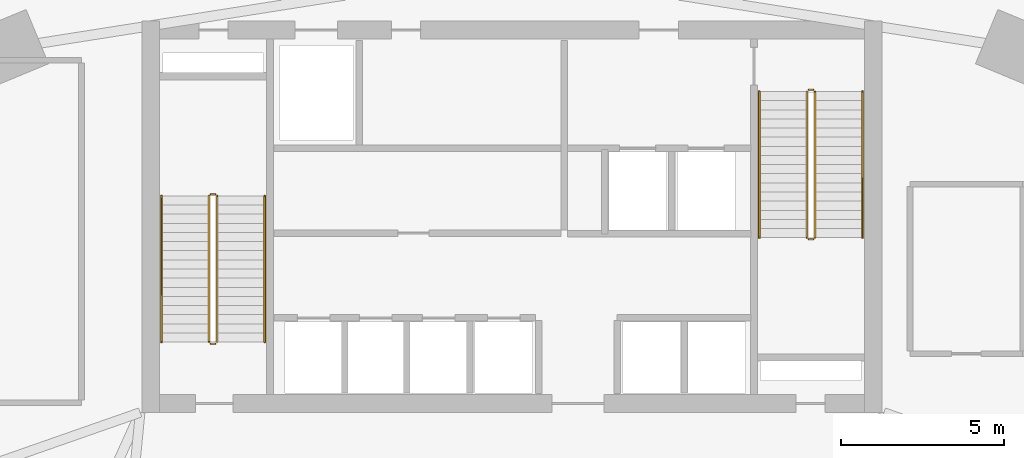
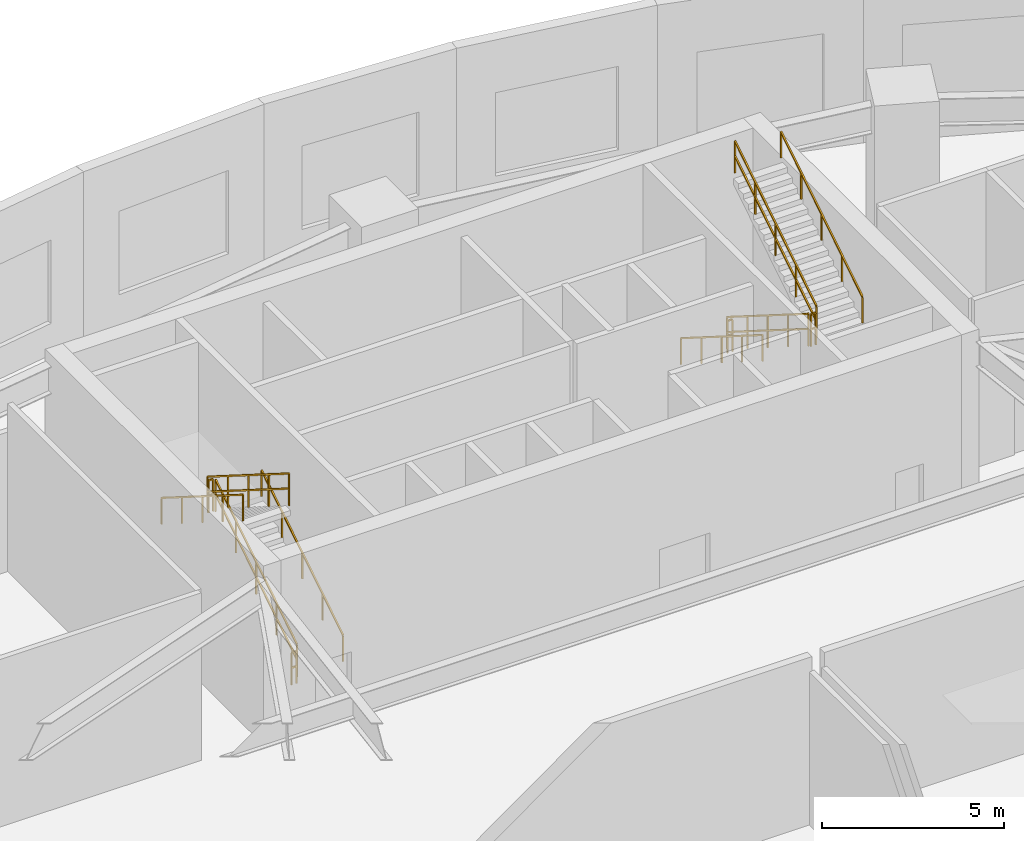
# One storey, part 9 of 10: 12 railings.
"""IFC4 building model written with IfcOpenShell, lengths in metres."""

import ifcopenshell
import ifcopenshell.guid

model = None  # the IFC model being written
_history = None  # IfcOwnerHistory: only IFC2X3 demands one
_inside = {}  # id of a spatial element -> (the spatial element, [elements in it])
_under = {}  # id of a project, library or spatial element -> (it, [spatial elements below it])
_declared = {}  # id of a project -> (the project, [libraries it declares])
_typed = {}  # id of a type object -> (the type object, [elements of that type])
_made_of = {}  # id of a material, layer set ... -> (it, [elements and type objects made of it])


def new_model(schema):
    """Start an empty IFC model of exactly this schema.

    Asked for "IFC4X3", IfcOpenShell would pick the latest addendum, in which some entities
    have other attributes; the version numbers below select the first issue.
    IFC2X3 requires an IfcOwnerHistory on every rooted entity: one is made here for all.
    """
    global model, _history
    if schema == "IFC4X3":
        model = ifcopenshell.file(schema_version=(4, 3, 0, 0))
    else:
        model = ifcopenshell.file(schema=schema)
    _inside.clear()
    _under.clear()
    _declared.clear()
    _typed.clear()
    _made_of.clear()
    _history = None
    if model.schema == "IFC2X3":
        org = make("IfcOrganization", Name="unknown")
        user = make(
            "IfcPersonAndOrganization",
            ThePerson=make("IfcPerson", FamilyName="unknown"),
            TheOrganization=org,
        )
        app = make(
            "IfcApplication",
            ApplicationDeveloper=org,
            Version="unknown",
            ApplicationFullName="unknown",
            ApplicationIdentifier="unknown",
        )
        _history = make(
            "IfcOwnerHistory",
            OwningUser=user,
            OwningApplication=app,
            ChangeAction="ADDED",
            CreationDate=0,
        )
    return model


def make(cls, **values):
    """One entity of the class cls with the attributes given. An attribute that is None is left unset."""
    return model.create_entity(
        cls, **{name: value for name, value in values.items() if value is not None}
    )


def rooted(cls, **values):
    """An entity with a GlobalId (a new one), such as an element, a storey or a relation."""
    return make(cls, GlobalId=ifcopenshell.guid.new(), OwnerHistory=_history, **values)


def si_unit(unit_type, name, prefix=None):
    """IfcSIUnit, for example si_unit("LENGTHUNIT", "METRE", prefix="MILLI")."""
    return make("IfcSIUnit", UnitType=unit_type, Prefix=prefix, Name=name)


def assignment(units):
    """IfcUnitAssignment: the units of a project."""
    return None if units is None else make("IfcUnitAssignment", Units=units)


def point(xyz):
    """IfcCartesianPoint."""
    return None if xyz is None else make("IfcCartesianPoint", Coordinates=xyz)


def direction(xyz):
    """IfcDirection."""
    return None if xyz is None else make("IfcDirection", DirectionRatios=xyz)


def frame(location, z_axis=None, x_axis=None):
    """IfcAxis2Placement3D, a coordinate frame: its origin and axes. An axis left out is left unset."""
    return make(
        "IfcAxis2Placement3D",
        Location=point(location),
        Axis=direction(z_axis),
        RefDirection=direction(x_axis),
    )


def frame_2d(location, x_axis=None):
    """IfcAxis2Placement2D, a coordinate frame in the plane: its origin and x axis."""
    return make(
        "IfcAxis2Placement2D", Location=point(location), RefDirection=direction(x_axis)
    )


def origin():
    """The frame at (0, 0, 0) with its axes left unset."""
    return frame((0.0, 0.0, 0.0))


def origin_2d():
    """The frame at (0, 0) in the plane with its x axis left unset."""
    return frame_2d((0.0, 0.0))


def place(relative_to, where):
    """IfcLocalPlacement: puts the frame where relative to a parent placement (None: the world)."""
    return make(
        "IfcLocalPlacement", PlacementRelTo=relative_to, RelativePlacement=where
    )


def context(
    kind, dimensions, precision=None, world=None, true_north=None, identifier=None
):
    """IfcGeometricRepresentationContext, for example the 3D "Model" context."""
    return make(
        "IfcGeometricRepresentationContext",
        ContextIdentifier=identifier,
        ContextType=kind,
        CoordinateSpaceDimension=dimensions,
        Precision=precision,
        WorldCoordinateSystem=world,
        TrueNorth=true_north,
    )


def subcontext(parent, identifier, kind, view, scale=None):
    """IfcGeometricRepresentationSubContext, for example "Body" below "Model"."""
    return make(
        "IfcGeometricRepresentationSubContext",
        ContextIdentifier=identifier,
        ContextType=kind,
        ParentContext=parent,
        TargetScale=scale,
        TargetView=view,
    )


def project(units=None, contexts=None):
    """IfcProject with its units and contexts."""
    return rooted(
        "IfcProject",
        Name="project",
        RepresentationContexts=contexts,
        UnitsInContext=assignment(units),
    )


def spatial(cls, under=None, at=None, **own):
    """A site, building, storey or space (cls), placed at a placement, below another one or the project."""
    s = rooted(cls, ObjectPlacement=at, **own)
    if under is not None:
        _under.setdefault(under.id(), (under, []))[1].append(s)
    return s


def profile(cls, at=None, kind="AREA", **sizes):
    """A parametric profile (cls). Its sizes go by their IFC names, for example OverallWidth=200.0."""
    return make(cls, ProfileType=kind, Position=at, **sizes)


def rectangle(**sizes):
    """IfcRectangleProfileDef."""
    return profile("IfcRectangleProfileDef", **sizes)


def extrude(swept, where, along, depth):
    """IfcExtrudedAreaSolid: the profile swept, set in the frame where, extruded along a direction by depth."""
    return make(
        "IfcExtrudedAreaSolid",
        SweptArea=swept,
        Position=where,
        ExtrudedDirection=direction(along),
        Depth=depth,
    )


def shape(context_of_items, identifier, shape_type, items):
    """IfcShapeRepresentation: the items that make up one representation, for example the "Body"."""
    return make(
        "IfcShapeRepresentation",
        ContextOfItems=context_of_items,
        RepresentationIdentifier=identifier,
        RepresentationType=shape_type,
        Items=items,
    )


def material(Name=None, Category=None):
    """IfcMaterial."""
    return make("IfcMaterial", Name=Name, Category=Category)


def made_of(thing, what):
    """Note that an element or type object is made of a material, layer set ...; save() writes the relation."""
    if what is not None:
        _made_of.setdefault(what.id(), (what, []))[1].append(thing)
    return thing


def type_object(cls, material=None, **own):
    """A type object (cls), such as IfcWallType, which elements share."""
    return made_of(rooted(cls, **own), material)


def element(
    cls,
    number,
    at=None,
    inside=None,
    cuts=None,
    type_object=None,
    material=None,
    context=None,
    identifier="Body",
    shape_type=None,
    held_by="IfcProductDefinitionShape",
    body=None,
    shapes=None,
    **own,
):
    """One element of the class cls, such as IfcWall. Its Tag is "e" and its number.

    at: its placement. inside: the storey or other place that contains it. cuts: it is an
    opening in that element (IfcRelVoidsElement). A single representation is given by context,
    identifier, shape_type and body (its items); several are given by shapes. held_by: the class
    of the entity that holds the representations. save() writes the other relations.
    """
    e = rooted(cls, Tag="e%d" % number, ObjectPlacement=at, **own)
    if body is not None:
        shapes = [shape(context, identifier, shape_type, body)]
    if shapes is not None:
        e.Representation = make(held_by, Representations=shapes)
    if inside is not None:
        _inside.setdefault(inside.id(), (inside, []))[1].append(e)
    if cuts is not None:
        rooted(
            "IfcRelVoidsElement", RelatingBuildingElement=cuts, RelatedOpeningElement=e
        )
    if type_object is not None:
        _typed.setdefault(type_object.id(), (type_object, []))[1].append(e)
    return made_of(e, material)


def aggregate(whole, parts):
    """IfcRelAggregates: a whole, such as a stair, and the parts it consists of."""
    return rooted("IfcRelAggregates", RelatingObject=whole, RelatedObjects=parts)


def save(model, path):
    """Write the relations noted so far, then the file.

    IfcRelAggregates (storeys below a building ...), IfcRelContainedInSpatialStructure (elements
    in a storey), IfcRelDefinesByType, IfcRelAssociatesMaterial and IfcRelDeclares: one each for
    every whole, place, type object, material and project.
    """
    for whole, parts in _under.values():
        aggregate(whole, parts)
    for where, things in _inside.values():
        rooted(
            "IfcRelContainedInSpatialStructure",
            RelatedElements=things,
            RelatingStructure=where,
        )
    for kind, things in _typed.values():
        rooted("IfcRelDefinesByType", RelatedObjects=things, RelatingType=kind)
    for what, things in _made_of.values():
        rooted("IfcRelAssociatesMaterial", RelatedObjects=things, RelatingMaterial=what)
    for by, libraries in _declared.values():
        rooted("IfcRelDeclares", RelatingContext=by, RelatedDefinitions=libraries)
    model.write(path)


model = new_model("IFC4")

# Units and contexts
model_context = context("Model", 3, precision=1e-05, world=origin(), true_north=direction((0.0, 1.0)))
body_context = subcontext(model_context, "Body", "Model", "MODEL_VIEW")
ifc_project = project(units=[si_unit("LENGTHUNIT", "METRE"), si_unit("AREAUNIT", "SQUARE_METRE"), si_unit("VOLUMEUNIT", "CUBIC_METRE"), si_unit("PLANEANGLEUNIT", "RADIAN"), si_unit("MASSUNIT", "GRAM", prefix="KILO")], contexts=[model_context])

# Site, building, storey
site_placement = place(None, origin())
site = spatial("IfcSite", under=ifc_project, at=site_placement, CompositionType="ELEMENT")
building_placement = place(site_placement, origin())
building = spatial("IfcBuilding", under=site, at=building_placement, Name="Breltana Convention Tower", CompositionType="ELEMENT")
storey_placement = place(building_placement, frame((0.0, 0.0, 18.0)))
storey = spatial("IfcBuildingStorey", under=building, at=storey_placement, Name="L03", CompositionType="ELEMENT", Elevation=18.0)

# Railings
ifc_material_1 = material(Name="Steel S275 Painted", Category="steel")
railing_type_1 = type_object("IfcRailingType", Name="RL-STAIR-GUARD-1100", PredefinedType="GUARDRAIL", material=ifc_material_1)
railing_1_placement = place(storey_placement, frame((38.9599609375, 62.360107421875, 0.176513671875)))
element("IfcRailing", 1, at=railing_1_placement, inside=storey, type_object=railing_type_1, Name="L03 ST-1 stair guard 1", PredefinedType="GUARDRAIL", context=body_context, shape_type="SweptSolid", body=[
    extrude(rectangle(XDim=0.048095703125, YDim=0.048095703125, at=origin_2d()), frame((0.0, 0.0, 1.076171875), z_axis=(0.0, 0.845997938375, 0.533186166611), x_axis=(-1.0, 0.0, 0.0)), (0.0, 0.0, 1.0), 5.29541015625),
    extrude(rectangle(XDim=0.048095703125, YDim=0.048095703125, at=origin_2d()), frame((0.0, 0.0, 0.572021484375), z_axis=(0.0, 0.845997938375, 0.533186166611), x_axis=(-1.0, 0.0, 0.0)), (0.0, 0.0, 1.0), 5.29541015625),
    extrude(rectangle(XDim=0.0419921875, YDim=0.0419921875, at=origin_2d()), origin(), (0.0, 0.0, 1.0), 1.052001953125),
    extrude(rectangle(XDim=0.0419921875, YDim=0.0419921875, at=origin_2d()), frame((0.0, 1.1201171875, 0.705810546875)), (0.0, 0.0, 1.0), 1.052001953125),
    extrude(rectangle(XDim=0.0419921875, YDim=0.0419921875, at=origin_2d()), frame((0.0, 2.239990234375, 1.41162109375)), (0.0, 0.0, 1.0), 1.052001953125),
    extrude(rectangle(XDim=0.0419921875, YDim=0.0419921875, at=origin_2d()), frame((0.0, 3.35986328125, 2.11767578125)), (0.0, 0.0, 1.0), 1.052001953125),
    extrude(rectangle(XDim=0.0419921875, YDim=0.0419921875, at=origin_2d()), frame((0.0, 4.47998046875, 2.823486328125)), (0.0, 0.0, 1.0), 1.052001953125),
])
railing_2_placement = place(storey_placement, frame((38.909912109375, 66.889892578125, 3.0)))
element("IfcRailing", 2, at=railing_2_placement, inside=storey, type_object=railing_type_1, Name="L03 ST-1 stair guard 2", PredefinedType="GUARDRAIL", context=body_context, shape_type="SweptSolid", body=[
    extrude(rectangle(XDim=0.048095703125, YDim=0.048095703125, at=origin_2d()), frame((0.0, 0.0, 1.076171875), z_axis=(-1.0, 0.0, 0.0), x_axis=(0.0, -1.0, 0.0)), (0.0, 0.0, 1.0), 0.14990234375),
    extrude(rectangle(XDim=0.048095703125, YDim=0.048095703125, at=origin_2d()), frame((0.0, 0.0, 0.572021484375), z_axis=(-1.0, 0.0, 0.0), x_axis=(0.0, -1.0, 0.0)), (0.0, 0.0, 1.0), 0.14990234375),
    extrude(rectangle(XDim=0.0419921875, YDim=0.0419921875, at=origin_2d()), origin(), (0.0, 0.0, 1.0), 1.052001953125),
    extrude(rectangle(XDim=0.0419921875, YDim=0.0419921875, at=origin_2d()), frame((-0.14990234375, 0.0, 0.0)), (0.0, 0.0, 1.0), 1.052001953125),
])
railing_3_placement = place(storey_placement, frame((38.7099609375, 66.840087890625, 3.176513671875)))
element("IfcRailing", 3, at=railing_3_placement, inside=storey, type_object=railing_type_1, Name="L03 ST-1 stair guard 3", PredefinedType="GUARDRAIL", context=body_context, shape_type="SweptSolid", body=[
    extrude(rectangle(XDim=0.048095703125, YDim=0.048095703125, at=origin_2d()), frame((0.0, 0.0, 1.076171875), z_axis=(0.0, -0.845997938375, 0.533186166611), x_axis=(1.0, 0.0, 0.0)), (0.0, 0.0, 1.0), 5.29541015625),
    extrude(rectangle(XDim=0.048095703125, YDim=0.048095703125, at=origin_2d()), frame((0.0, 0.0, 0.572021484375), z_axis=(0.0, -0.845997938375, 0.533186166611), x_axis=(1.0, 0.0, 0.0)), (0.0, 0.0, 1.0), 5.29541015625),
    extrude(rectangle(XDim=0.0419921875, YDim=0.0419921875, at=origin_2d()), origin(), (0.0, 0.0, 1.0), 1.052001953125),
    extrude(rectangle(XDim=0.0419921875, YDim=0.0419921875, at=origin_2d()), frame((0.0, -1.1201171875, 0.705810546875)), (0.0, 0.0, 1.0), 1.052001953125),
    extrude(rectangle(XDim=0.0419921875, YDim=0.0419921875, at=origin_2d()), frame((0.0, -2.239990234375, 1.41162109375)), (0.0, 0.0, 1.0), 1.052001953125),
    extrude(rectangle(XDim=0.0419921875, YDim=0.0419921875, at=origin_2d()), frame((0.0, -3.35986328125, 2.11767578125)), (0.0, 0.0, 1.0), 1.052001953125),
    extrude(rectangle(XDim=0.0419921875, YDim=0.0419921875, at=origin_2d()), frame((0.0, -4.47998046875, 2.823486328125)), (0.0, 0.0, 1.0), 1.052001953125),
])
railing_4_placement = place(storey_placement, frame((38.909912109375, 62.31005859375, 0.0)))
element("IfcRailing", 4, at=railing_4_placement, inside=storey, type_object=railing_type_1, Name="L03 ST-1 stair guard 4", PredefinedType="GUARDRAIL", context=body_context, shape_type="SweptSolid", body=[
    extrude(rectangle(XDim=0.048095703125, YDim=0.048095703125, at=origin_2d()), frame((0.0, 0.0, 1.076171875), z_axis=(-1.0, 0.0, 0.0), x_axis=(0.0, -1.0, 0.0)), (0.0, 0.0, 1.0), 0.14990234375),
    extrude(rectangle(XDim=0.048095703125, YDim=0.048095703125, at=origin_2d()), frame((0.0, 0.0, 0.572021484375), z_axis=(-1.0, 0.0, 0.0), x_axis=(0.0, -1.0, 0.0)), (0.0, 0.0, 1.0), 0.14990234375),
    extrude(rectangle(XDim=0.0419921875, YDim=0.0419921875, at=origin_2d()), origin(), (0.0, 0.0, 1.0), 1.052001953125),
    extrude(rectangle(XDim=0.0419921875, YDim=0.0419921875, at=origin_2d()), frame((-0.14990234375, 0.0, 0.0)), (0.0, 0.0, 1.0), 1.052001953125),
])
railing_5_placement = place(storey_placement, frame((57.0400390625, 70.0400390625, 0.176513671875)))
element("IfcRailing", 5, at=railing_5_placement, inside=storey, type_object=railing_type_1, Name="L03 ST-2 stair guard 1", PredefinedType="GUARDRAIL", context=body_context, shape_type="SweptSolid", body=[
    extrude(rectangle(XDim=0.048095703125, YDim=0.048095703125, at=origin_2d()), frame((0.0, 0.0, 1.076171875), z_axis=(0.0, -0.845997938375, 0.533186166611), x_axis=(1.0, 0.0, 0.0)), (0.0, 0.0, 1.0), 5.29541015625),
    extrude(rectangle(XDim=0.048095703125, YDim=0.048095703125, at=origin_2d()), frame((0.0, 0.0, 0.572021484375), z_axis=(0.0, -0.845997938375, 0.533186166611), x_axis=(1.0, 0.0, 0.0)), (0.0, 0.0, 1.0), 5.29541015625),
    extrude(rectangle(XDim=0.0419921875, YDim=0.0419921875, at=origin_2d()), origin(), (0.0, 0.0, 1.0), 1.052001953125),
    extrude(rectangle(XDim=0.0419921875, YDim=0.0419921875, at=origin_2d()), frame((0.0, -1.1201171875, 0.705810546875)), (0.0, 0.0, 1.0), 1.052001953125),
    extrude(rectangle(XDim=0.0419921875, YDim=0.0419921875, at=origin_2d()), frame((0.0, -2.239990234375, 1.41162109375)), (0.0, 0.0, 1.0), 1.052001953125),
    extrude(rectangle(XDim=0.0419921875, YDim=0.0419921875, at=origin_2d()), frame((0.0, -3.35986328125, 2.11767578125)), (0.0, 0.0, 1.0), 1.052001953125),
    extrude(rectangle(XDim=0.0419921875, YDim=0.0419921875, at=origin_2d()), frame((0.0, -4.47998046875, 2.823486328125)), (0.0, 0.0, 1.0), 1.052001953125),
])
railing_6_placement = place(storey_placement, frame((57.090087890625, 65.510009765625, 3.0)))
element("IfcRailing", 6, at=railing_6_placement, inside=storey, type_object=railing_type_1, Name="L03 ST-2 stair guard 2", PredefinedType="GUARDRAIL", context=body_context, shape_type="SweptSolid", body=[
    extrude(rectangle(XDim=0.048095703125, YDim=0.048095703125, at=origin_2d()), frame((0.0, 0.0, 1.076171875), z_axis=(1.0, 0.0, 0.0), x_axis=(0.0, 1.0, 0.0)), (0.0, 0.0, 1.0), 0.14990234375),
    extrude(rectangle(XDim=0.048095703125, YDim=0.048095703125, at=origin_2d()), frame((0.0, 0.0, 0.572021484375), z_axis=(1.0, 0.0, 0.0), x_axis=(0.0, 1.0, 0.0)), (0.0, 0.0, 1.0), 0.14990234375),
    extrude(rectangle(XDim=0.0419921875, YDim=0.0419921875, at=origin_2d()), origin(), (0.0, 0.0, 1.0), 1.052001953125),
    extrude(rectangle(XDim=0.0419921875, YDim=0.0419921875, at=origin_2d()), frame((0.14990234375, 0.0, 0.0)), (0.0, 0.0, 1.0), 1.052001953125),
])
railing_7_placement = place(storey_placement, frame((57.2900390625, 65.56005859375, 3.176513671875)))
element("IfcRailing", 7, at=railing_7_placement, inside=storey, type_object=railing_type_1, Name="L03 ST-2 stair guard 3", PredefinedType="GUARDRAIL", context=body_context, shape_type="SweptSolid", body=[
    extrude(rectangle(XDim=0.048095703125, YDim=0.048095703125, at=origin_2d()), frame((0.0, 0.0, 1.076171875), z_axis=(0.0, 0.845997938375, 0.533186166611), x_axis=(-1.0, 0.0, 0.0)), (0.0, 0.0, 1.0), 5.29541015625),
    extrude(rectangle(XDim=0.048095703125, YDim=0.048095703125, at=origin_2d()), frame((0.0, 0.0, 0.572021484375), z_axis=(0.0, 0.845997938375, 0.533186166611), x_axis=(-1.0, 0.0, 0.0)), (0.0, 0.0, 1.0), 5.29541015625),
    extrude(rectangle(XDim=0.0419921875, YDim=0.0419921875, at=origin_2d()), origin(), (0.0, 0.0, 1.0), 1.052001953125),
    extrude(rectangle(XDim=0.0419921875, YDim=0.0419921875, at=origin_2d()), frame((0.0, 1.1201171875, 0.705810546875)), (0.0, 0.0, 1.0), 1.052001953125),
    extrude(rectangle(XDim=0.0419921875, YDim=0.0419921875, at=origin_2d()), frame((0.0, 2.239990234375, 1.41162109375)), (0.0, 0.0, 1.0), 1.052001953125),
    extrude(rectangle(XDim=0.0419921875, YDim=0.0419921875, at=origin_2d()), frame((0.0, 3.35986328125, 2.11767578125)), (0.0, 0.0, 1.0), 1.052001953125),
    extrude(rectangle(XDim=0.0419921875, YDim=0.0419921875, at=origin_2d()), frame((0.0, 4.47998046875, 2.823486328125)), (0.0, 0.0, 1.0), 1.052001953125),
])
railing_8_placement = place(storey_placement, frame((57.090087890625, 70.090087890625, 0.0)))
element("IfcRailing", 8, at=railing_8_placement, inside=storey, type_object=railing_type_1, Name="L03 ST-2 stair guard 4", PredefinedType="GUARDRAIL", context=body_context, shape_type="SweptSolid", body=[
    extrude(rectangle(XDim=0.048095703125, YDim=0.048095703125, at=origin_2d()), frame((0.0, 0.0, 1.076171875), z_axis=(1.0, 0.0, 0.0), x_axis=(0.0, 1.0, 0.0)), (0.0, 0.0, 1.0), 0.14990234375),
    extrude(rectangle(XDim=0.048095703125, YDim=0.048095703125, at=origin_2d()), frame((0.0, 0.0, 0.572021484375), z_axis=(1.0, 0.0, 0.0), x_axis=(0.0, 1.0, 0.0)), (0.0, 0.0, 1.0), 0.14990234375),
    extrude(rectangle(XDim=0.0419921875, YDim=0.0419921875, at=origin_2d()), origin(), (0.0, 0.0, 1.0), 1.052001953125),
    extrude(rectangle(XDim=0.0419921875, YDim=0.0419921875, at=origin_2d()), frame((0.14990234375, 0.0, 0.0)), (0.0, 0.0, 1.0), 1.052001953125),
])
ifc_material_2 = material(Name="Stainless Steel 316L", Category="steel")
railing_type_2 = type_object("IfcRailingType", Name="RL-STAIR-HANDRAIL-900", PredefinedType="HANDRAIL", material=ifc_material_2)
railing_9_placement = place(storey_placement, frame((40.419921875, 62.360107421875, 0.176513671875)))
element("IfcRailing", 9, at=railing_9_placement, inside=storey, type_object=railing_type_2, Name="L03 ST-1 stair handrail 1", PredefinedType="HANDRAIL", context=body_context, shape_type="SweptSolid", body=[
    extrude(rectangle(XDim=0.048095703125, YDim=0.048095703125, at=origin_2d()), frame((0.0, 0.0, 0.8759765625), z_axis=(0.0, 0.845997938375, 0.533186166611), x_axis=(-1.0, 0.0, 0.0)), (0.0, 0.0, 1.0), 5.29541015625),
    extrude(rectangle(XDim=0.0419921875, YDim=0.0419921875, at=origin_2d()), origin(), (0.0, 0.0, 1.0), 0.851806640625),
    extrude(rectangle(XDim=0.0419921875, YDim=0.0419921875, at=origin_2d()), frame((0.0, 1.1201171875, 0.705810546875)), (0.0, 0.0, 1.0), 0.851806640625),
    extrude(rectangle(XDim=0.0419921875, YDim=0.0419921875, at=origin_2d()), frame((0.0, 2.239990234375, 1.41162109375)), (0.0, 0.0, 1.0), 0.851806640625),
    extrude(rectangle(XDim=0.0419921875, YDim=0.0419921875, at=origin_2d()), frame((0.0, 3.35986328125, 2.11767578125)), (0.0, 0.0, 1.0), 0.851806640625),
    extrude(rectangle(XDim=0.0419921875, YDim=0.0419921875, at=origin_2d()), frame((0.0, 4.47998046875, 2.823486328125)), (0.0, 0.0, 1.0), 0.851806640625),
])
for number, where, name in (
    (10, (37.25, 66.840087890625, 3.176513671875), "L03 ST-1 stair handrail 2"),
    (11, (55.580078125, 70.0400390625, 0.176513671875), "L03 ST-2 stair handrail 1"),
):
    element("IfcRailing", number, at=place(storey_placement, frame(where)), inside=storey, type_object=railing_type_2, Name=name, PredefinedType="HANDRAIL", context=body_context, shape_type="SweptSolid", body=[
        extrude(rectangle(XDim=0.048095703125, YDim=0.048095703125, at=origin_2d()), frame((0.0, 0.0, 0.8759765625), z_axis=(0.0, -0.845997938375, 0.533186166611), x_axis=(1.0, 0.0, 0.0)), (0.0, 0.0, 1.0), 5.29541015625),
        extrude(rectangle(XDim=0.0419921875, YDim=0.0419921875, at=origin_2d()), origin(), (0.0, 0.0, 1.0), 0.851806640625),
        extrude(rectangle(XDim=0.0419921875, YDim=0.0419921875, at=origin_2d()), frame((0.0, -1.1201171875, 0.705810546875)), (0.0, 0.0, 1.0), 0.851806640625),
        extrude(rectangle(XDim=0.0419921875, YDim=0.0419921875, at=origin_2d()), frame((0.0, -2.239990234375, 1.41162109375)), (0.0, 0.0, 1.0), 0.851806640625),
        extrude(rectangle(XDim=0.0419921875, YDim=0.0419921875, at=origin_2d()), frame((0.0, -3.35986328125, 2.11767578125)), (0.0, 0.0, 1.0), 0.851806640625),
        extrude(rectangle(XDim=0.0419921875, YDim=0.0419921875, at=origin_2d()), frame((0.0, -4.47998046875, 2.823486328125)), (0.0, 0.0, 1.0), 0.851806640625),
    ])
railing_10_placement = place(storey_placement, frame((58.75, 65.56005859375, 3.176513671875)))
element("IfcRailing", 12, at=railing_10_placement, inside=storey, type_object=railing_type_2, Name="L03 ST-2 stair handrail 2", PredefinedType="HANDRAIL", context=body_context, shape_type="SweptSolid", body=[
    extrude(rectangle(XDim=0.048095703125, YDim=0.048095703125, at=origin_2d()), frame((0.0, 0.0, 0.8759765625), z_axis=(0.0, 0.845997938375, 0.533186166611), x_axis=(-1.0, 0.0, 0.0)), (0.0, 0.0, 1.0), 5.29541015625),
    extrude(rectangle(XDim=0.0419921875, YDim=0.0419921875, at=origin_2d()), origin(), (0.0, 0.0, 1.0), 0.851806640625),
    extrude(rectangle(XDim=0.0419921875, YDim=0.0419921875, at=origin_2d()), frame((0.0, 1.1201171875, 0.705810546875)), (0.0, 0.0, 1.0), 0.851806640625),
    extrude(rectangle(XDim=0.0419921875, YDim=0.0419921875, at=origin_2d()), frame((0.0, 2.239990234375, 1.41162109375)), (0.0, 0.0, 1.0), 0.851806640625),
    extrude(rectangle(XDim=0.0419921875, YDim=0.0419921875, at=origin_2d()), frame((0.0, 3.35986328125, 2.11767578125)), (0.0, 0.0, 1.0), 0.851806640625),
    extrude(rectangle(XDim=0.0419921875, YDim=0.0419921875, at=origin_2d()), frame((0.0, 4.47998046875, 2.823486328125)), (0.0, 0.0, 1.0), 0.851806640625),
])

save(model, "model.ifc")
